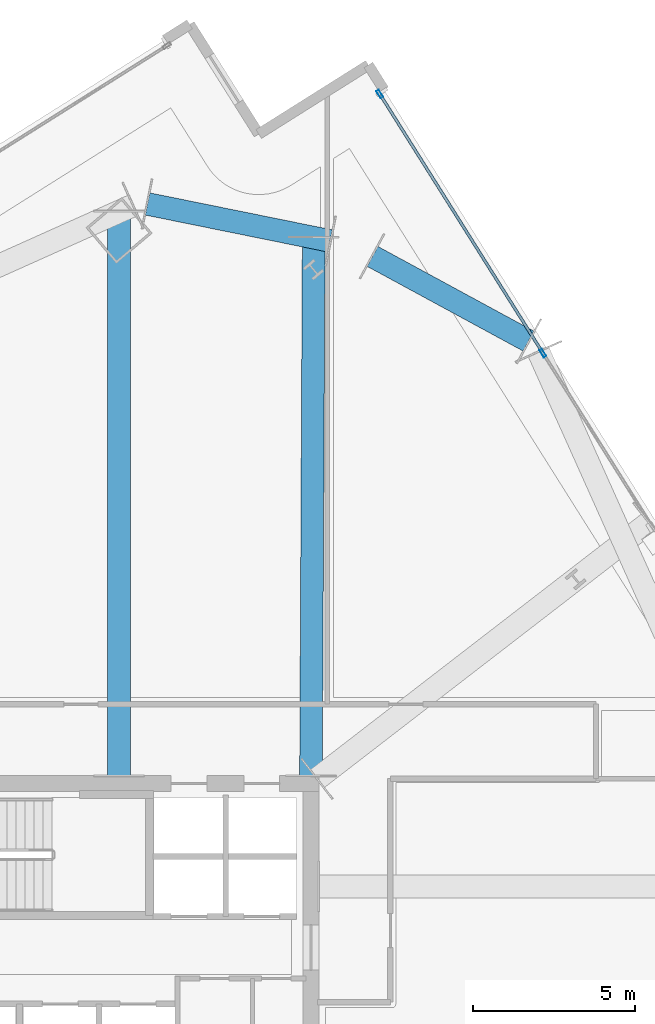
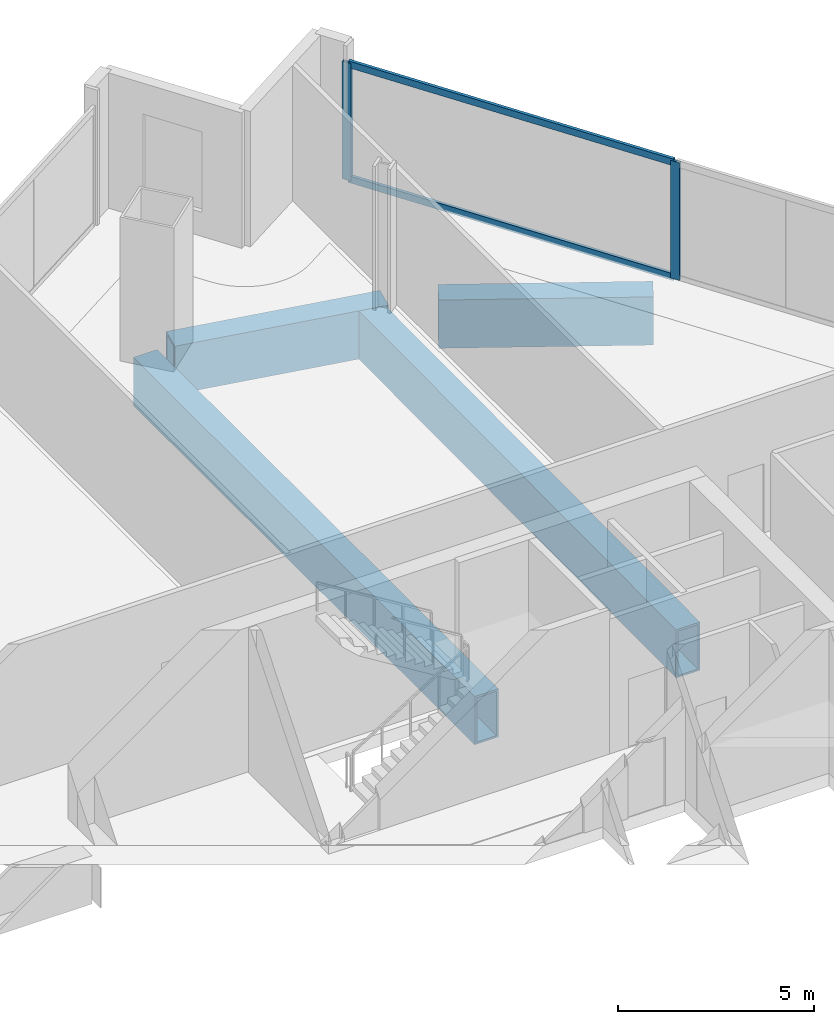
# One storey, part 17 of 29: 4 beams, 4 members, 1 element without a shape of its own.
"""IFC4 building model written with IfcOpenShell, lengths in metres."""

from ifc_helpers import new_model, si_unit, direction, frame, origin, origin_2d, place, context, subcontext, project, spatial, hollow_rectangle, extrude, material, material_profile, profile_set, type_object, element, aggregate, save


model = new_model("IFC4")

# Units and contexts
model_context = context("Model", 3, precision=1e-05, world=origin(), true_north=direction((0.0, 1.0)))
body_context = subcontext(model_context, "Body", "Model", "MODEL_VIEW")
ifc_project = project(units=[si_unit("LENGTHUNIT", "METRE"), si_unit("AREAUNIT", "SQUARE_METRE"), si_unit("VOLUMEUNIT", "CUBIC_METRE"), si_unit("PLANEANGLEUNIT", "RADIAN"), si_unit("MASSUNIT", "GRAM", prefix="KILO")], contexts=[model_context])

# Site, building, storey
site_placement = place(None, origin())
site = spatial("IfcSite", under=ifc_project, at=site_placement, CompositionType="ELEMENT")
building_placement = place(site_placement, origin())
building = spatial("IfcBuilding", under=site, at=building_placement, Name="Haldenkirk Collegiate Tower", CompositionType="ELEMENT")
storey_placement = place(building_placement, frame((0.0, 0.0, 136.199951171875)))
storey = spatial("IfcBuildingStorey", under=building, at=storey_placement, Name="L33", CompositionType="ELEMENT", Elevation=136.199951171875)

# Beams
ifc_material_1 = material(Name="Steel ASTM A572 Grade 50", Category="steel")
ifc_material_profile_1 = material_profile(ifc_material_1, hollow_rectangle(XDim=0.699951171875, YDim=1.5, WallThickness=0.06005859375, at=origin_2d()), Name="BOX1500X700X60")
ifc_profile_set_1 = profile_set([ifc_material_profile_1], Name="Steel ASTM A572 Grade 50")
beam_type = type_object("IfcBeamType", Name="BM-TRANSFER-BOX1500X700X60", PredefinedType="BEAM", material=ifc_profile_set_1)
beam_1_placement = place(storey_placement, frame((51.714599609375, 47.66015625, -1.14990234375), z_axis=(-0.878835810931, 0.477124320723, 0.0), x_axis=(-0.477124320723, -0.878835810931, 0.0)))
element("IfcBeam", 1, at=beam_1_placement, inside=storey, type_object=beam_type, Name="L33 sky-lobby perimeter transfer girder 08", PredefinedType="BEAM", context=body_context, shape_type="SweptSolid", body=[
    extrude(hollow_rectangle(XDim=0.699951171875, YDim=1.5, WallThickness=0.06005859375, at=origin_2d()), origin(), (0.0, 0.0, 1.0), 5.477783203125),
])
beam_2_placement = place(storey_placement, frame((45.590087890625, 50.750244140625, -1.14990234375), z_axis=(-0.980069318183, 0.198655811786, 0.0), x_axis=(-0.198655811786, -0.980069318183, 0.0)))
element("IfcBeam", 2, at=beam_2_placement, inside=storey, type_object=beam_type, Name="L33 sky-lobby perimeter transfer girder 09", PredefinedType="BEAM", context=body_context, shape_type="SweptSolid", body=[
    extrude(hollow_rectangle(XDim=0.699951171875, YDim=1.5, WallThickness=0.06005859375, at=origin_2d()), origin(), (0.0, 0.0, 1.0), 5.747802734375),
])
beam_3_placement = place(storey_placement, frame((39.076904296875, 51.654296875, -1.14990234375), z_axis=(0.0, -1.0, 0.0), x_axis=(1.0, 0.0, 0.0)))
element("IfcBeam", 3, at=beam_3_placement, inside=storey, type_object=beam_type, Name="L33 sky-lobby radial transfer girder 03", PredefinedType="BEAM", context=body_context, shape_type="SweptSolid", body=[
    extrude(hollow_rectangle(XDim=0.699951171875, YDim=1.5, WallThickness=0.06005859375, at=origin_2d()), origin(), (0.0, 0.0, 1.0), 17.3994140625),
])
beam_4_placement = place(storey_placement, frame((45.0849609375, 50.852783203125, -1.14990234375), z_axis=(-0.005045166355, -0.999987273067, 0.0), x_axis=(0.999987273067, -0.005045166355, 0.0)))
element("IfcBeam", 4, at=beam_4_placement, inside=storey, type_object=beam_type, Name="L33 sky-lobby radial transfer girder 10", PredefinedType="BEAM", context=body_context, shape_type="SweptSolid", body=[
    extrude(hollow_rectangle(XDim=0.699951171875, YDim=1.5, WallThickness=0.06005859375, at=origin_2d()), origin(), (0.0, 0.0, 1.0), 16.59814453125),
])

# Curtain wall, members
ifc_material_2 = material(Name="Anodised architectural bronze aluminium", Category="aluminium")
curtain_wall_type = type_object("IfcCurtainWallType", Name="CW-SYS4-SKYGARDEN", PredefinedType="USERDEFINED", material=ifc_material_2)
curtain_wall_placement = place(storey_placement, origin())
curtain_wall = element("IfcCurtainWall", 5, at=curtain_wall_placement, inside=storey, type_object=curtain_wall_type, Name="L33 Sky-garden tall bronze curtain wall", ObjectType="UNITISED CURTAIN WALL", PredefinedType="USERDEFINED")
ifc_material_profile_2 = material_profile(ifc_material_2, hollow_rectangle(XDim=0.090087890625, YDim=0.260009765625, WallThickness=0.0048828125, at=origin_2d()), Name="CW-MUL-04")
ifc_profile_set_2 = profile_set([ifc_material_profile_2], Name="Anodised architectural bronze aluminium")
member_type_1 = type_object("IfcMemberType", Name="CW-MUL-04", PredefinedType="MULLION", material=ifc_profile_set_2)
member_1_placement = place(storey_placement, frame((47.124267578125, 55.28759765625, 0.0), z_axis=(0.0, 0.0, 1.0), x_axis=(0.846192846973, 0.532876782879, 0.0)))
member_1 = element("IfcMember", 6, at=member_1_placement, type_object=member_type_1, Name="CW-04 mullion 1", PredefinedType="MULLION", context=body_context, shape_type="SweptSolid", body=[
    extrude(hollow_rectangle(XDim=0.090087890625, YDim=0.260009765625, WallThickness=0.0048828125, at=origin_2d()), origin(), (0.0, 0.0, 1.0), 3.6611328125),
])
member_2_placement = place(storey_placement, frame((52.162841796875, 47.286865234375, 0.0), z_axis=(0.0, 0.0, 1.0), x_axis=(0.846192846973, 0.532876782879, 0.0)))
member_2 = element("IfcMember", 7, at=member_2_placement, type_object=member_type_1, Name="CW-04 mullion 2", PredefinedType="MULLION", context=body_context, shape_type="SweptSolid", body=[
    extrude(hollow_rectangle(XDim=0.090087890625, YDim=0.260009765625, WallThickness=0.0048828125, at=origin_2d()), origin(), (0.0, 0.0, 1.0), 3.6611328125),
])
ifc_material_profile_3 = material_profile(ifc_material_2, hollow_rectangle(XDim=0.090087890625, YDim=0.2099609375, WallThickness=0.0048828125, at=origin_2d()), Name="CW-TRN-04")
ifc_profile_set_3 = profile_set([ifc_material_profile_3], Name="Anodised architectural bronze aluminium")
member_type_2 = type_object("IfcMemberType", Name="CW-TRN-04", PredefinedType="USERDEFINED", material=ifc_profile_set_3)
member_3_placement = place(storey_placement, frame((47.1484375, 55.24951171875, 0.045166015625), z_axis=(0.532866509392, -0.846199316455, 0.0), x_axis=(0.846199316455, 0.532866509392, 0.0)))
member_3 = element("IfcMember", 8, at=member_3_placement, type_object=member_type_2, Name="CW-04 transom 1.1", ObjectType="TRANSOM", PredefinedType="USERDEFINED", context=body_context, shape_type="SweptSolid", body=[
    extrude(hollow_rectangle(XDim=0.090087890625, YDim=0.2099609375, WallThickness=0.0048828125, at=origin_2d()), origin(), (0.0, 0.0, 1.0), 9.364990234375),
])
member_4_placement = place(storey_placement, frame((47.1484375, 55.24951171875, 3.615966796875), z_axis=(0.532866509392, -0.846199316455, 0.0), x_axis=(0.846199316455, 0.532866509392, 0.0)))
member_4 = element("IfcMember", 9, at=member_4_placement, type_object=member_type_2, Name="CW-04 transom 1.2", ObjectType="TRANSOM", PredefinedType="USERDEFINED", context=body_context, shape_type="SweptSolid", body=[
    extrude(hollow_rectangle(XDim=0.090087890625, YDim=0.2099609375, WallThickness=0.0048828125, at=origin_2d()), origin(), (0.0, 0.0, 1.0), 9.364990234375),
])
aggregate(curtain_wall, [member_1, member_2, member_3, member_4])

save(model, "model.ifc")
